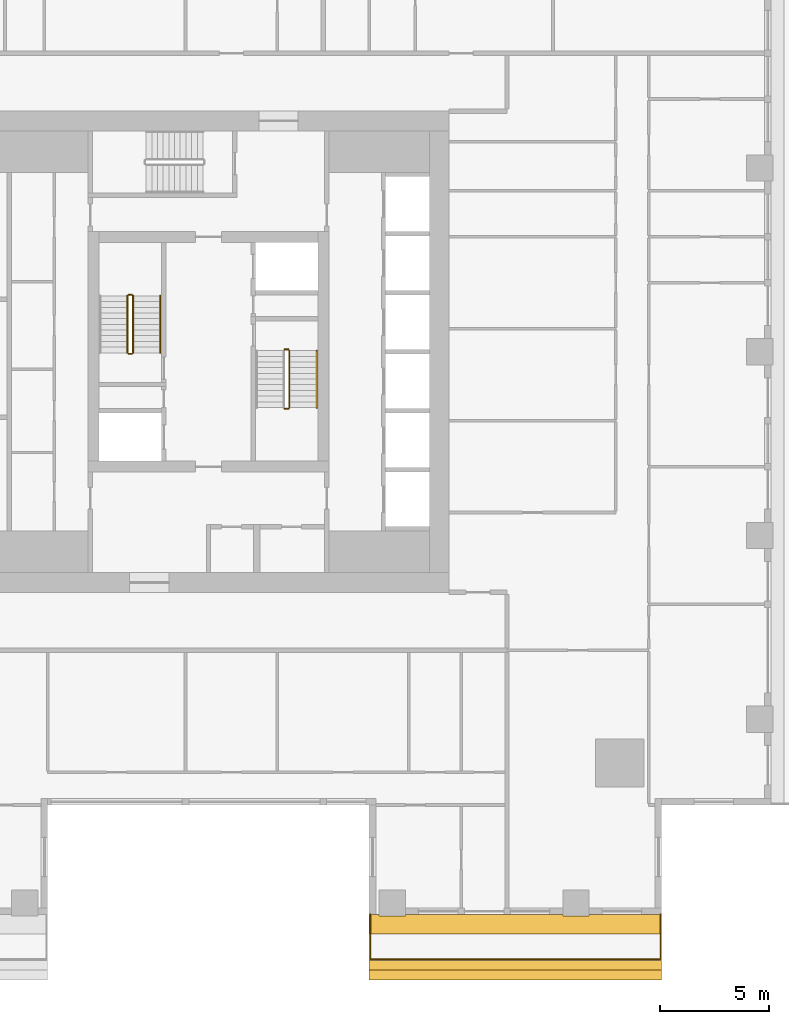
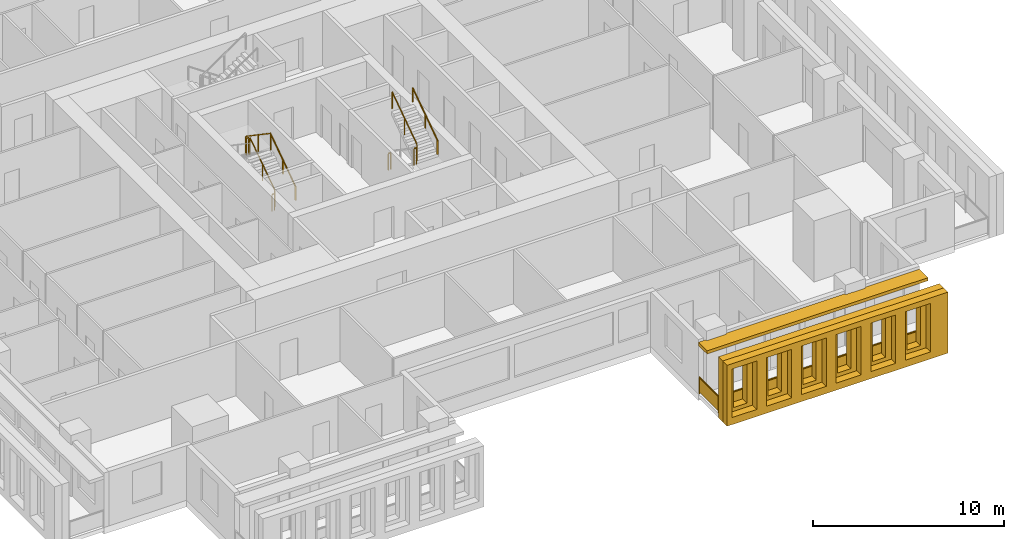
# One storey, part 12 of 15: 10 railings, 3 shading devices.
"""IFC4 building model written with IfcOpenShell, lengths in metres."""

from ifc_helpers import new_model, si_unit, direction, frame, origin, origin_2d, place, context, subcontext, project, spatial, polyline, rectangle, outline, extrude, material, layer, layer_set, type_object, element, save


model = new_model("IFC4")

# Units and contexts
model_context = context("Model", 3, precision=1e-05, world=origin(), true_north=direction((0.0, 1.0)))
body_context = subcontext(model_context, "Body", "Model", "MODEL_VIEW")
ifc_project = project(units=[si_unit("LENGTHUNIT", "METRE"), si_unit("AREAUNIT", "SQUARE_METRE"), si_unit("VOLUMEUNIT", "CUBIC_METRE"), si_unit("PLANEANGLEUNIT", "RADIAN"), si_unit("MASSUNIT", "GRAM", prefix="KILO")], contexts=[model_context])

# Site, building, storey
site_placement = place(None, origin())
site = spatial("IfcSite", under=ifc_project, at=site_placement, CompositionType="ELEMENT")
building_placement = place(site_placement, origin())
building = spatial("IfcBuilding", under=site, at=building_placement, Name="Khepri Terraces", CompositionType="ELEMENT")
storey_placement = place(building_placement, frame((0.0, 0.0, 260.10009765625)))
storey = spatial("IfcBuildingStorey", under=building, at=storey_placement, Name="L62", CompositionType="ELEMENT", Elevation=260.10009765625)

# Railings
ifc_material_1 = material(Name="Stainless steel grade 316", Category="steel")
railing_type_1 = type_object("IfcRailingType", Name="GRD-BAL-1100", PredefinedType="GUARDRAIL", material=ifc_material_1)
railing_1_placement = place(storey_placement, frame((7.39990234375, -25.719970703125, 0.0)))
element("IfcRailing", 1, at=railing_1_placement, inside=storey, type_object=railing_type_1, Name="Balcony guard L62 S", PredefinedType="GUARDRAIL", context=body_context, shape_type="SweptSolid", body=[
    extrude(rectangle(XDim=0.050048828125, YDim=0.06005859375, at=origin_2d()), frame((0.0, 0.0, 1.070068359375), z_axis=(0.0, -1.0, 0.0), x_axis=(1.0, 0.0, 0.0)), (0.0, 0.0, 1.0), 2.050048828125),
    extrude(rectangle(XDim=2.0, YDim=0.011962890625, at=origin_2d()), frame((0.0, -1.02490234375, 0.10009765625), z_axis=(0.0, 0.0, 1.0), x_axis=(0.0, -1.0, 0.0)), (0.0, 0.0, 1.0), 0.93994140625),
    extrude(rectangle(XDim=0.050048828125, YDim=0.06005859375, at=origin_2d()), frame((0.0, -2.050048828125, 1.070068359375), z_axis=(1.0, 0.0, 0.0), x_axis=(0.0, 1.0, 0.0)), (0.0, 0.0, 1.0), 13.27001953125),
    extrude(rectangle(XDim=2.16162109375, YDim=0.011962890625, at=origin_2d()), frame((1.10595703125, -2.050048828125, 0.10009765625), z_axis=(0.0, 0.0, 1.0), x_axis=(1.0, 0.0, 0.0)), (0.0, 0.0, 1.0), 0.93994140625),
    extrude(rectangle(XDim=2.16162109375, YDim=0.011962890625, at=origin_2d()), frame((3.3173828125, -2.050048828125, 0.10009765625), z_axis=(0.0, 0.0, 1.0), x_axis=(1.0, 0.0, 0.0)), (0.0, 0.0, 1.0), 0.93994140625),
    extrude(rectangle(XDim=2.16162109375, YDim=0.011962890625, at=origin_2d()), frame((5.529296875, -2.050048828125, 0.10009765625), z_axis=(0.0, 0.0, 1.0), x_axis=(1.0, 0.0, 0.0)), (0.0, 0.0, 1.0), 0.93994140625),
    extrude(rectangle(XDim=2.16162109375, YDim=0.011962890625, at=origin_2d()), frame((7.740966796875, -2.050048828125, 0.10009765625), z_axis=(0.0, 0.0, 1.0), x_axis=(1.0, 0.0, 0.0)), (0.0, 0.0, 1.0), 0.93994140625),
    extrude(rectangle(XDim=2.16162109375, YDim=0.011962890625, at=origin_2d()), frame((9.95263671875, -2.050048828125, 0.10009765625), z_axis=(0.0, 0.0, 1.0), x_axis=(1.0, 0.0, 0.0)), (0.0, 0.0, 1.0), 0.93994140625),
    extrude(rectangle(XDim=2.16162109375, YDim=0.011962890625, at=origin_2d()), frame((12.1640625, -2.050048828125, 0.10009765625), z_axis=(0.0, 0.0, 1.0), x_axis=(1.0, 0.0, 0.0)), (0.0, 0.0, 1.0), 0.93994140625),
    extrude(rectangle(XDim=0.050048828125, YDim=0.06005859375, at=origin_2d()), frame((13.27001953125, -2.050048828125, 1.070068359375), z_axis=(0.0, 1.0, 0.0), x_axis=(-1.0, 0.0, 0.0)), (0.0, 0.0, 1.0), 2.050048828125),
    extrude(rectangle(XDim=2.0, YDim=0.011962890625, at=origin_2d()), frame((13.27001953125, -1.02490234375, 0.10009765625), z_axis=(0.0, 0.0, 1.0), x_axis=(0.0, 1.0, 0.0)), (0.0, 0.0, 1.0), 0.93994140625),
    extrude(rectangle(XDim=0.050048828125, YDim=0.050048828125, at=origin_2d()), origin(), (0.0, 0.0, 1.0), 1.0400390625),
    extrude(rectangle(XDim=0.050048828125, YDim=0.050048828125, at=origin_2d()), frame((0.0, -2.050048828125, 0.0)), (0.0, 0.0, 1.0), 1.0400390625),
    extrude(rectangle(XDim=0.050048828125, YDim=0.050048828125, at=origin_2d()), frame((2.211669921875, -2.050048828125, 0.0)), (0.0, 0.0, 1.0), 1.0400390625),
    extrude(rectangle(XDim=0.050048828125, YDim=0.050048828125, at=origin_2d()), frame((4.42333984375, -2.050048828125, 0.0)), (0.0, 0.0, 1.0), 1.0400390625),
    extrude(rectangle(XDim=0.050048828125, YDim=0.050048828125, at=origin_2d()), frame((6.635009765625, -2.050048828125, 0.0)), (0.0, 0.0, 1.0), 1.0400390625),
    extrude(rectangle(XDim=0.050048828125, YDim=0.050048828125, at=origin_2d()), frame((8.8466796875, -2.050048828125, 0.0)), (0.0, 0.0, 1.0), 1.0400390625),
    extrude(rectangle(XDim=0.050048828125, YDim=0.050048828125, at=origin_2d()), frame((11.058349609375, -2.050048828125, 0.0)), (0.0, 0.0, 1.0), 1.0400390625),
    extrude(rectangle(XDim=0.050048828125, YDim=0.050048828125, at=origin_2d()), frame((13.27001953125, -2.050048828125, 0.0)), (0.0, 0.0, 1.0), 1.0400390625),
    extrude(rectangle(XDim=0.050048828125, YDim=0.050048828125, at=origin_2d()), frame((13.27001953125, 0.0, 0.0)), (0.0, 0.0, 1.0), 1.0400390625),
])
ifc_material_2 = material(Name="Stainless steel 316", Category="steel")
railing_type_2 = type_object("IfcRailingType", Name="RL-CORE-GUARD", PredefinedType="GUARDRAIL", material=ifc_material_2)
railing_2_placement = place(storey_placement, frame((-3.449951171875, -0.050048828125, 0.17724609375)))
element("IfcRailing", 2, at=railing_2_placement, inside=storey, type_object=railing_type_2, Name="L62 ST-1 stair guard 1", PredefinedType="GUARDRAIL", context=body_context, shape_type="SweptSolid", body=[
    extrude(rectangle(XDim=0.050048828125, YDim=0.06005859375, at=origin_2d()), frame((0.0, 0.0, 1.070068359375), z_axis=(0.0, 0.826240473404, 0.563317565952), x_axis=(-1.0, 0.0, 0.0)), (0.0, 0.0, 1.0), 3.14697265625),
    extrude(rectangle(XDim=0.050048828125, YDim=0.050048828125, at=origin_2d()), origin(), (0.0, 0.0, 1.0), 1.0400390625),
    extrude(rectangle(XDim=0.050048828125, YDim=0.050048828125, at=origin_2d()), frame((0.0, 1.300048828125, 0.88623046875)), (0.0, 0.0, 1.0), 1.0400390625),
    extrude(rectangle(XDim=0.050048828125, YDim=0.050048828125, at=origin_2d()), frame((0.0, 2.60009765625, 1.772705078125)), (0.0, 0.0, 1.0), 1.0400390625),
])
railing_3_placement = place(storey_placement, frame((-3.5, 2.60009765625, 1.949951171875)))
element("IfcRailing", 3, at=railing_3_placement, inside=storey, type_object=railing_type_2, Name="L62 ST-1 stair guard 2", PredefinedType="GUARDRAIL", context=body_context, shape_type="SweptSolid", body=[
    extrude(rectangle(XDim=0.050048828125, YDim=0.06005859375, at=origin_2d()), frame((0.0, 0.0, 1.070068359375), z_axis=(-1.0, 0.0, 0.0), x_axis=(0.0, -1.0, 0.0)), (0.0, 0.0, 1.0), 0.14990234375),
    extrude(rectangle(XDim=0.050048828125, YDim=0.050048828125, at=origin_2d()), origin(), (0.0, 0.0, 1.0), 1.0400390625),
    extrude(rectangle(XDim=0.050048828125, YDim=0.050048828125, at=origin_2d()), frame((-0.14990234375, 0.0, 0.0)), (0.0, 0.0, 1.0), 1.0400390625),
])
railing_4_placement = place(storey_placement, frame((-3.699951171875, 2.550048828125, 2.127197265625)))
element("IfcRailing", 4, at=railing_4_placement, inside=storey, type_object=railing_type_2, Name="L62 ST-1 stair guard 3", PredefinedType="GUARDRAIL", context=body_context, shape_type="SweptSolid", body=[
    extrude(rectangle(XDim=0.050048828125, YDim=0.06005859375, at=origin_2d()), frame((0.0, 0.0, 1.070068359375), z_axis=(0.0, -0.826240473404, 0.563317565952), x_axis=(1.0, 0.0, 0.0)), (0.0, 0.0, 1.0), 3.14697265625),
    extrude(rectangle(XDim=0.050048828125, YDim=0.050048828125, at=origin_2d()), origin(), (0.0, 0.0, 1.0), 1.0400390625),
    extrude(rectangle(XDim=0.050048828125, YDim=0.050048828125, at=origin_2d()), frame((0.0, -1.300048828125, 0.88623046875)), (0.0, 0.0, 1.0), 1.0400390625),
    extrude(rectangle(XDim=0.050048828125, YDim=0.050048828125, at=origin_2d()), frame((0.0, -2.60009765625, 1.772705078125)), (0.0, 0.0, 1.0), 1.0400390625),
])
railing_5_placement = place(storey_placement, frame((-3.5, -0.10009765625, 0.0)))
element("IfcRailing", 5, at=railing_5_placement, inside=storey, type_object=railing_type_2, Name="L62 ST-1 stair guard 4", PredefinedType="GUARDRAIL", context=body_context, shape_type="SweptSolid", body=[
    extrude(rectangle(XDim=0.050048828125, YDim=0.06005859375, at=origin_2d()), frame((0.0, 0.0, 1.070068359375), z_axis=(-1.0, 0.0, 0.0), x_axis=(0.0, -1.0, 0.0)), (0.0, 0.0, 1.0), 0.14990234375),
    extrude(rectangle(XDim=0.050048828125, YDim=0.050048828125, at=origin_2d()), origin(), (0.0, 0.0, 1.0), 1.0400390625),
    extrude(rectangle(XDim=0.050048828125, YDim=0.050048828125, at=origin_2d()), frame((-0.14990234375, 0.0, 0.0)), (0.0, 0.0, 1.0), 1.0400390625),
])
railing_6_placement = place(storey_placement, frame((3.5, -2.60009765625, 1.949951171875)))
element("IfcRailing", 6, at=railing_6_placement, inside=storey, type_object=railing_type_2, Name="L62 ST-2 stair guard 2", PredefinedType="GUARDRAIL", context=body_context, shape_type="SweptSolid", body=[
    extrude(rectangle(XDim=0.050048828125, YDim=0.06005859375, at=origin_2d()), frame((0.0, 0.0, 1.070068359375), z_axis=(1.0, 0.0, 0.0), x_axis=(0.0, 1.0, 0.0)), (0.0, 0.0, 1.0), 0.14990234375),
    extrude(rectangle(XDim=0.050048828125, YDim=0.050048828125, at=origin_2d()), origin(), (0.0, 0.0, 1.0), 1.0400390625),
    extrude(rectangle(XDim=0.050048828125, YDim=0.050048828125, at=origin_2d()), frame((0.14990234375, 0.0, 0.0)), (0.0, 0.0, 1.0), 1.0400390625),
])
railing_7_placement = place(storey_placement, frame((3.699951171875, -2.550048828125, 2.127197265625)))
element("IfcRailing", 7, at=railing_7_placement, inside=storey, type_object=railing_type_2, Name="L62 ST-2 stair guard 3", PredefinedType="GUARDRAIL", context=body_context, shape_type="SweptSolid", body=[
    extrude(rectangle(XDim=0.050048828125, YDim=0.06005859375, at=origin_2d()), frame((0.0, 0.0, 1.070068359375), z_axis=(0.0, 0.826240473404, 0.563317565952), x_axis=(-1.0, 0.0, 0.0)), (0.0, 0.0, 1.0), 3.14697265625),
    extrude(rectangle(XDim=0.050048828125, YDim=0.050048828125, at=origin_2d()), origin(), (0.0, 0.0, 1.0), 1.0400390625),
    extrude(rectangle(XDim=0.050048828125, YDim=0.050048828125, at=origin_2d()), frame((0.0, 1.300048828125, 0.88623046875)), (0.0, 0.0, 1.0), 1.0400390625),
    extrude(rectangle(XDim=0.050048828125, YDim=0.050048828125, at=origin_2d()), frame((0.0, 2.60009765625, 1.772705078125)), (0.0, 0.0, 1.0), 1.0400390625),
])
railing_8_placement = place(storey_placement, frame((3.5, 0.10009765625, 0.0)))
element("IfcRailing", 8, at=railing_8_placement, inside=storey, type_object=railing_type_2, Name="L62 ST-2 stair guard 4", PredefinedType="GUARDRAIL", context=body_context, shape_type="SweptSolid", body=[
    extrude(rectangle(XDim=0.050048828125, YDim=0.06005859375, at=origin_2d()), frame((0.0, 0.0, 1.070068359375), z_axis=(1.0, 0.0, 0.0), x_axis=(0.0, 1.0, 0.0)), (0.0, 0.0, 1.0), 0.14990234375),
    extrude(rectangle(XDim=0.050048828125, YDim=0.050048828125, at=origin_2d()), origin(), (0.0, 0.0, 1.0), 1.0400390625),
    extrude(rectangle(XDim=0.050048828125, YDim=0.050048828125, at=origin_2d()), frame((0.14990234375, 0.0, 0.0)), (0.0, 0.0, 1.0), 1.0400390625),
])
railing_type_3 = type_object("IfcRailingType", Name="RL-CORE-HANDRAIL", PredefinedType="HANDRAIL", material=ifc_material_2)
for number, where, name in (
    (9, (-2.199951171875, -0.050048828125, 0.17724609375), "L62 ST-1 stair handrail 1"),
    (10, (4.949951171875, -2.550048828125, 2.127197265625), "L62 ST-2 stair handrail 2"),
):
    element("IfcRailing", number, at=place(storey_placement, frame(where)), inside=storey, type_object=railing_type_3, Name=name, PredefinedType="HANDRAIL", context=body_context, shape_type="SweptSolid", body=[
        extrude(rectangle(XDim=0.050048828125, YDim=0.050048828125, at=origin_2d()), frame((0.0, 0.0, 0.875), z_axis=(0.0, 0.826240473404, 0.563317565952), x_axis=(-1.0, 0.0, 0.0)), (0.0, 0.0, 1.0), 3.14697265625),
        extrude(rectangle(XDim=0.050048828125, YDim=0.050048828125, at=origin_2d()), origin(), (0.0, 0.0, 1.0), 0.849853515625),
        extrude(rectangle(XDim=0.050048828125, YDim=0.050048828125, at=origin_2d()), frame((0.0, 1.300048828125, 0.88623046875)), (0.0, 0.0, 1.0), 0.849853515625),
        extrude(rectangle(XDim=0.050048828125, YDim=0.050048828125, at=origin_2d()), frame((0.0, 2.60009765625, 1.772705078125)), (0.0, 0.0, 1.0), 0.849853515625),
    ])

# Shading devices
ifc_material_3 = material(Name="Precast concrete C50/60 warm stone", Category="masonry")
shading_device_type_1 = type_object("IfcShadingDeviceType", Name="SCR-CELL-INNER-450", PredefinedType="USERDEFINED", material=ifc_material_3)
shading_device_1_placement = place(storey_placement, frame((7.35009765625, -27.820068359375, -0.25), z_axis=(0.0, -1.0, 0.0), x_axis=(1.0, 0.0, 0.0)))
element("IfcShadingDevice", 11, at=shading_device_1_placement, inside=storey, type_object=shading_device_type_1, Name="Cell screen L62 S in", ObjectType="SCREEN", PredefinedType="USERDEFINED", context=body_context, shape_type="SweptSolid", body=[
    extrude(outline(polyline([(0.0, 0.0), (13.3701171875, 0.0), (13.3701171875, 3.89990234375), (0.0, 3.89990234375), (0.0, 0.0)]), holes=[polyline([(0.6484375, 0.699951171875), (1.45166015625, 0.699951171875), (1.45166015625, 3.300048828125), (0.6484375, 3.300048828125), (0.6484375, 0.699951171875)]), polyline([(2.748291015625, 0.699951171875), (3.551513671875, 0.699951171875), (3.551513671875, 3.300048828125), (2.748291015625, 3.300048828125), (2.748291015625, 0.699951171875)]), polyline([(4.848388671875, 0.699951171875), (5.651611328125, 0.699951171875), (5.651611328125, 3.300048828125), (4.848388671875, 3.300048828125), (4.848388671875, 0.699951171875)]), polyline([(6.948486328125, 0.699951171875), (7.751708984375, 0.699951171875), (7.751708984375, 3.300048828125), (6.948486328125, 3.300048828125), (6.948486328125, 0.699951171875)]), polyline([(9.04833984375, 0.699951171875), (9.8515625, 0.699951171875), (9.8515625, 3.300048828125), (9.04833984375, 3.300048828125), (9.04833984375, 0.699951171875)]), polyline([(11.1484375, 0.699951171875), (11.95166015625, 0.699951171875), (11.95166015625, 3.300048828125), (11.1484375, 3.300048828125), (11.1484375, 0.699951171875)])]), origin(), (0.0, 0.0, 1.0), 0.449951171875),
])
shading_device_type_2 = type_object("IfcShadingDeviceType", Name="SCR-CELL-OUTER-450", PredefinedType="USERDEFINED", material=ifc_material_3)
shading_device_2_placement = place(storey_placement, frame((7.35009765625, -28.27001953125, -0.25), z_axis=(0.0, -1.0, 0.0), x_axis=(1.0, 0.0, 0.0)))
element("IfcShadingDevice", 12, at=shading_device_2_placement, inside=storey, type_object=shading_device_type_2, Name="Cell screen L62 S out", ObjectType="SCREEN", PredefinedType="USERDEFINED", context=body_context, shape_type="SweptSolid", body=[
    extrude(outline(polyline([(0.0, 0.0), (13.3701171875, 0.0), (13.3701171875, 3.89990234375), (0.0, 3.89990234375), (0.0, 0.0)]), holes=[polyline([(0.29833984375, 0.449951171875), (1.801513671875, 0.449951171875), (1.801513671875, 3.550048828125), (0.29833984375, 3.550048828125), (0.29833984375, 0.449951171875)]), polyline([(2.3984375, 0.449951171875), (3.901611328125, 0.449951171875), (3.901611328125, 3.550048828125), (2.3984375, 3.550048828125), (2.3984375, 0.449951171875)]), polyline([(4.498291015625, 0.449951171875), (6.001708984375, 0.449951171875), (6.001708984375, 3.550048828125), (4.498291015625, 3.550048828125), (4.498291015625, 0.449951171875)]), polyline([(6.598388671875, 0.449951171875), (8.1015625, 0.449951171875), (8.1015625, 3.550048828125), (6.598388671875, 3.550048828125), (6.598388671875, 0.449951171875)]), polyline([(8.698486328125, 0.449951171875), (10.20166015625, 0.449951171875), (10.20166015625, 3.550048828125), (8.698486328125, 3.550048828125), (8.698486328125, 0.449951171875)]), polyline([(10.79833984375, 0.449951171875), (12.301513671875, 0.449951171875), (12.301513671875, 3.550048828125), (10.79833984375, 3.550048828125), (10.79833984375, 0.449951171875)])]), origin(), (0.0, 0.0, 1.0), 0.449951171875),
])
ifc_layer = layer(ifc_material_3, 0.199951171875, Name="Precast concrete C50/60 warm stone", Category="masonry")
ifc_layer_set = layer_set([ifc_layer], Name="Precast concrete C50/60 warm stone")
shading_device_type_3 = type_object("IfcShadingDeviceType", Name="SSH-BAND-STONE-200", PredefinedType="USERDEFINED", material=ifc_layer_set)
shading_device_3_placement = place(storey_placement, frame((0.0, 0.0, 3.099853515625)))
element("IfcShadingDevice", 13, at=shading_device_3_placement, inside=storey, type_object=shading_device_type_3, Name="Sunshade band L62 S", ObjectType="SUNSHADE", PredefinedType="USERDEFINED", context=body_context, shape_type="SweptSolid", body=[
    extrude(outline(polyline([(7.800048828125, -25.719970703125), (7.35009765625, -25.719970703125), (7.35009765625, -26.6201171875), (20.719970703125, -26.6201171875), (20.719970703125, -25.719970703125), (17.39990234375, -25.719970703125), (17.39990234375, -25.800048828125), (16.199951171875, -25.800048828125), (16.199951171875, -25.719970703125), (9.0, -25.719970703125), (9.0, -25.800048828125), (7.800048828125, -25.800048828125), (7.800048828125, -25.719970703125)])), origin(), (0.0, 0.0, 1.0), 0.199951171875),
])

save(model, "model.ifc")
